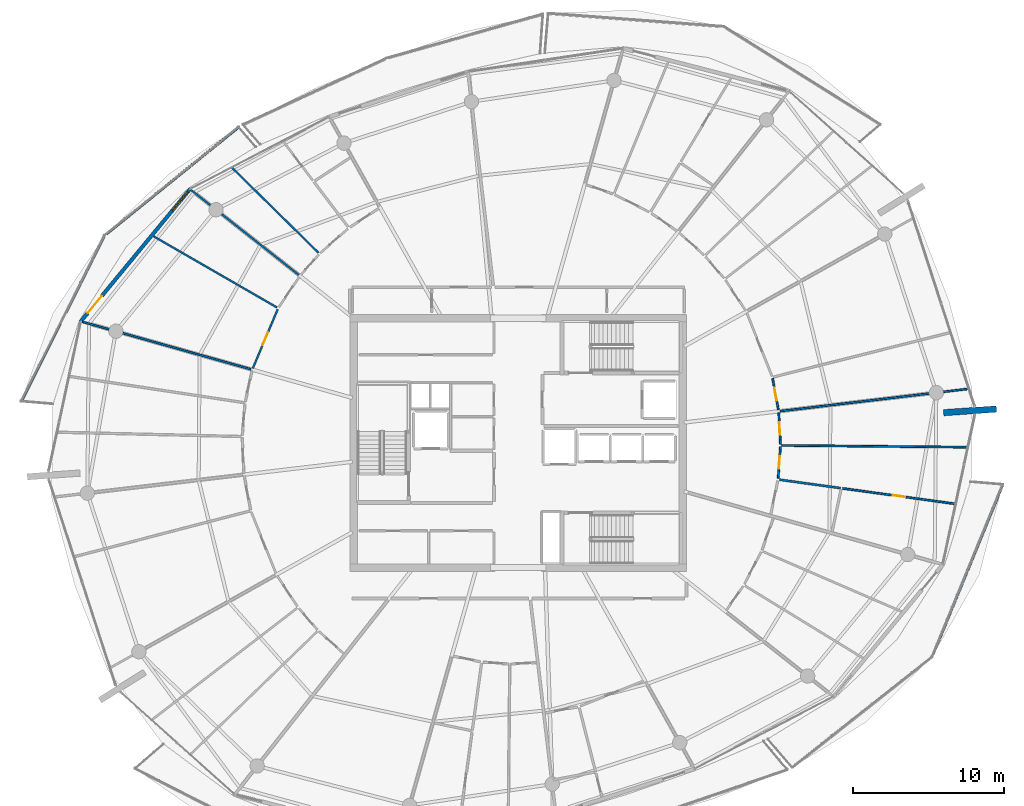
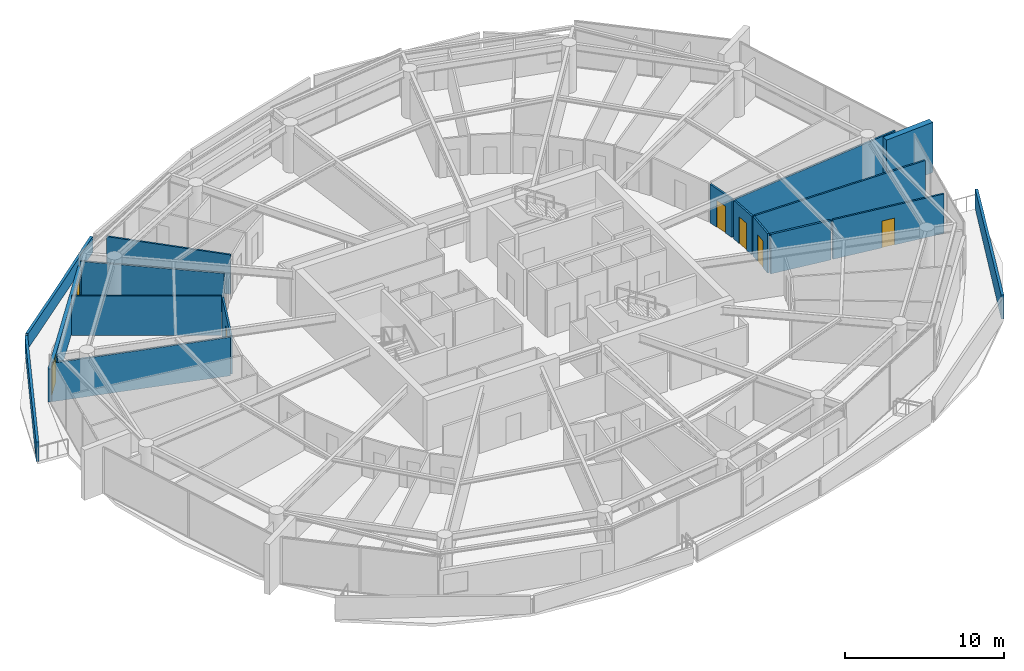
# One storey, part 20 of 29: 17 walls, 6 doors, 1 window, 7 openings.
"""IFC4 building model written with IfcOpenShell, lengths in metres."""

from ifc_helpers import new_model, si_unit, direction, frame, frame_2d, origin, place, context, subcontext, project, spatial, polyline, rectangle, outline, extrude, material, layer, layer_set, type_object, element, fill, save


model = new_model("IFC4")

# Units and contexts
model_context = context("Model", 3, precision=1e-05, world=origin(), true_north=direction((0.0, 1.0)))
body_context = subcontext(model_context, "Body", "Model", "MODEL_VIEW")
ifc_project = project(units=[si_unit("LENGTHUNIT", "METRE"), si_unit("AREAUNIT", "SQUARE_METRE"), si_unit("VOLUMEUNIT", "CUBIC_METRE"), si_unit("PLANEANGLEUNIT", "RADIAN"), si_unit("MASSUNIT", "GRAM", prefix="KILO")], contexts=[model_context])

# Site, building, storey
site_placement = place(None, origin())
site = spatial("IfcSite", under=ifc_project, at=site_placement, CompositionType="ELEMENT")
building_placement = place(site_placement, origin())
building = spatial("IfcBuilding", under=site, at=building_placement, Name="Kazma Halo Residences", CompositionType="ELEMENT")
storey_placement = place(building_placement, frame((0.0, 0.0, 282.89990234375)))
storey = spatial("IfcBuildingStorey", under=building, at=storey_placement, Name="L71", CompositionType="ELEMENT", Elevation=282.89990234375)

# Walls
ifc_material_1 = material(Name="White Concrete C50/60 Balustrade", Category="concrete")
ifc_layer_1 = layer(ifc_material_1, 0.179931640625)
ifc_layer_set_1 = layer_set([ifc_layer_1], Name="White Concrete C50/60 Balustrade")
wall_type_1 = type_object("IfcWallType", Name="WL-BAL-WAVE-180", PredefinedType="PARAPET", material=ifc_layer_set_1)
wall_1_placement = place(storey_placement, frame((29.9326171875, 62.89453125, 0.0), z_axis=(0.0, 0.0, 1.0), x_axis=(-0.777688536298, -0.628649775718, 0.0)))
element("IfcWall", 1, at=wall_1_placement, inside=storey, type_object=wall_type_1, Name="L71 white wave balustrade wall NW.1", PredefinedType="PARAPET", context=body_context, shape_type="SweptSolid", body=[
    extrude(outline(polyline([(0.0, 0.0), (11.284912109375, 0.0), (11.28466796875, 1.148193359375), (5.642333984375, 1.127197265625), (0.0, 1.22412109375), (0.0, 0.0)])), frame((0.0, 0.08984375, 0.0), z_axis=(0.0, -1.0, 0.0), x_axis=(1.0, 0.0, 0.0)), (0.0, 0.0, 1.0), 0.179931640625),
])
wall_2_placement = place(storey_placement, frame((21.00927734375, 55.617919921875, 0.0), z_axis=(0.0, 0.0, 1.0), x_axis=(-0.449276289184, -0.893392867655, 0.0)))
element("IfcWall", 2, at=wall_2_placement, inside=storey, type_object=wall_type_1, Name="L71 white wave balustrade wall NW.2", PredefinedType="PARAPET", context=body_context, shape_type="SweptSolid", body=[
    extrude(outline(polyline([(0.0, 0.0), (12.160400390625, 0.0), (12.160400390625, 1.483154296875), (6.080078125, 1.2841796875), (0.0, 1.148193359375), (0.0, 0.0)])), frame((0.0, 0.08984375, 0.0), z_axis=(0.0, -1.0, 0.0), x_axis=(1.0, 0.0, 0.0)), (0.0, 0.0, 1.0), 0.179931640625),
])
wall_3_placement = place(storey_placement, frame((75.83837890625, 27.94970703125, 0.0), z_axis=(0.0, 0.0, 1.0), x_axis=(0.3796059491, 0.92514827104, 0.0)))
element("IfcWall", 3, at=wall_3_placement, inside=storey, type_object=wall_type_1, Name="L71 white wave balustrade wall SE.2", PredefinedType="PARAPET", context=body_context, shape_type="SweptSolid", body=[
    extrude(outline(polyline([(0.0, 0.0), (12.208740234375, 0.0), (12.20849609375, 1.4970703125), (6.104248046875, 1.696044921875), (0.0, 1.83203125), (0.0, 0.0)])), frame((0.0, 0.08984375, 0.0), z_axis=(0.0, -1.0, 0.0), x_axis=(1.0, 0.0, 0.0)), (0.0, 0.0, 1.0), 0.179931640625),
])
ifc_material_2 = material(Name="Pale Concrete C60/75", Category="concrete")
ifc_layer_2 = layer(ifc_material_2, 0.419921875)
ifc_layer_set_2 = layer_set([ifc_layer_2], Name="Pale Concrete C60/75")
wall_type_2 = type_object("IfcWallType", Name="WL-BLADE-420", PredefinedType="SOLIDWALL", material=ifc_layer_set_2)
wall_4_placement = place(storey_placement, frame((76.5625, 43.997314453125, 0.0), z_axis=(0.0, 0.0, 1.0), x_axis=(0.997563824095, 0.069759707979, 0.0)))
element("IfcWall", 4, at=wall_4_placement, inside=storey, type_object=wall_type_2, Name="L71 pale concrete structural blade fin wall BW-04", PredefinedType="SOLIDWALL", context=body_context, shape_type="SweptSolid", body=[
    extrude(rectangle(XDim=3.499755859375, YDim=0.419921875, at=frame_2d((1.75, 0.0))), origin(), (0.0, 0.0, 1.0), 3.85009765625),
])

# Wall, openings, door, window
ifc_material_3 = material(Name="Insulated Pale-Metal Composite Wall")
ifc_layer_3 = layer(ifc_material_3, 0.239990234375)
ifc_layer_set_3 = layer_set([ifc_layer_3], Name="Insulated Pale-Metal Composite Wall")
wall_type_3 = type_object("IfcWallType", Name="WL-EXT-HOST-240", PredefinedType="SOLIDWALL", material=ifc_layer_set_3)
wall_5_placement = place(storey_placement, frame((26.7421875, 58.822021484375, 0.0), z_axis=(0.0, 0.0, 1.0), x_axis=(-0.636680093065, -0.771128043255, 0.0)))
wall_5 = element("IfcWall", 5, at=wall_5_placement, inside=storey, type_object=wall_type_3, Name="L71 exterior terrace-access wall B06", PredefinedType="SOLIDWALL", context=body_context, shape_type="SweptSolid", body=[
    extrude(rectangle(XDim=11.438232421875, YDim=0.239990234375, at=frame_2d((5.71923828125, 0.0))), origin(), (0.0, 0.0, 1.0), 2.5400390625),
])
opening_1_placement = place(wall_5_placement, frame((9.21826171875, 0.0, 0.0)))
opening_1 = element("IfcOpeningElement", 6, at=opening_1_placement, cuts=wall_5, Name="Opening DTR-1600", PredefinedType="OPENING", context=body_context, shape_type="SweptSolid", body=[
    extrude(rectangle(XDim=1.449951171875, YDim=2.14990234375, at=frame_2d((0.72509765625, 1.074951171875))), frame((0.0, 0.1298828125, 0.0), z_axis=(0.0, -1.0, 0.0), x_axis=(1.0, 0.0, 0.0)), (0.0, 0.0, 1.0), 0.260009765625),
])
opening_2_placement = place(wall_5_placement, frame((0.280029296875, 0.0, 0.64990234375)))
opening_2 = element("IfcOpeningElement", 7, at=opening_2_placement, cuts=wall_5, Name="Opening W-1800", PredefinedType="OPENING", context=body_context, shape_type="SweptSolid", body=[
    extrude(rectangle(XDim=1.60009765625, YDim=1.5, at=frame_2d((0.800048828125, 0.75))), frame((0.0, 0.1298828125, 0.0), z_axis=(0.0, -1.0, 0.0), x_axis=(1.0, 0.0, 0.0)), (0.0, 0.0, 1.0), 0.260009765625),
])
ifc_material_4 = material(Name="Aluminium AW-6063 T6 Double-Glazed Terrace Door", Category="aluminium")
door_type_1 = type_object("IfcDoorType", Name="DR-EXT-TERR-1600", OperationType="NOTDEFINED", PredefinedType="DOOR", material=ifc_material_4)
door_1_placement = place(opening_1_placement, origin())
door_1 = element("IfcDoor", 8, at=door_1_placement, inside=storey, type_object=door_type_1, Name="L71 B06 balcony terrace door", OperationType="DOUBLE_DOOR_SLIDING", OverallHeight=2.14990234375, OverallWidth=1.449951171875, PredefinedType="DOOR", context=body_context, shape_type="SweptSolid", body=[
    extrude(rectangle(XDim=1.449951171875, YDim=2.14990234375, at=frame_2d((0.72509765625, 1.074951171875))), frame((0.0, 0.02490234375, 0.0), z_axis=(0.0, -1.0, 0.0), x_axis=(1.0, 0.0, 0.0)), (0.0, 0.0, 1.0), 0.050048828125),
])
fill(opening_1, door_1)
ifc_material_5 = material(Name="Clear Triple-Silver Low-E Glass in Aluminium AW-6063 T6 Frame", Category="aluminium")
window_type = type_object("IfcWindowType", Name="WIN-RES-1800", PartitioningType="DOUBLE_PANEL_VERTICAL", PredefinedType="WINDOW", material=ifc_material_5)
window_placement = place(opening_2_placement, origin())
window = element("IfcWindow", 9, at=window_placement, inside=storey, type_object=window_type, Name="L71 B06 apartment window", OverallHeight=1.5, OverallWidth=1.60009765625, PartitioningType="SINGLE_PANEL", PredefinedType="WINDOW", context=body_context, shape_type="SweptSolid", body=[
    extrude(rectangle(XDim=1.60009765625, YDim=1.5, at=frame_2d((0.800048828125, 0.75))), frame((0.0, 0.030029296875, 0.0), z_axis=(0.0, -1.0, 0.0), x_axis=(1.0, 0.0, 0.0)), (0.0, 0.0, 1.0), 0.06005859375),
])
fill(opening_2, window)

# Walls
ifc_material_6 = material(Name="Gypsum Plasterboard Partition")
ifc_layer_4 = layer(ifc_material_6, 0.125)
ifc_layer_set_4 = layer_set([ifc_layer_4], Name="Gypsum Plasterboard Partition")
wall_type_4 = type_object("IfcWallType", Name="WL-PART-125", PredefinedType="PARTITIONING", material=ifc_layer_set_4)
wall_6_placement = place(storey_placement, frame((35.214111328125, 54.572998046875, 0.0), z_axis=(0.0, 0.0, 1.0), x_axis=(-0.712998082221, 0.701165982311, 0.0)))
element("IfcWall", 10, at=wall_6_placement, inside=storey, type_object=wall_type_4, Name="L71 Apartment 1 suite divider 4", PredefinedType="PARTITIONING", context=body_context, shape_type="SweptSolid", body=[
    extrude(rectangle(XDim=8.026611328125, YDim=0.125, at=frame_2d((4.01318359375, 0.0))), origin(), (0.0, 0.0, 1.0), 3.030029296875),
])
wall_7_placement = place(storey_placement, frame((33.909912109375, 53.10791015625, 0.0), z_axis=(0.0, 0.0, 1.0), x_axis=(-0.785332331122, 0.619074413697, 0.0)))
element("IfcWall", 11, at=wall_7_placement, inside=storey, type_object=wall_type_4, Name="L71 Apartment 1 radial partition 5", PredefinedType="PARTITIONING", context=body_context, shape_type="SweptSolid", body=[
    extrude(rectangle(XDim=9.142578125, YDim=0.125, at=frame_2d((4.5712890625, 0.0))), origin(), (0.0, 0.0, 1.0), 2.95703125),
])
wall_8_placement = place(storey_placement, frame((32.4658203125, 50.9580078125, 0.0), z_axis=(0.0, 0.0, 1.0), x_axis=(-0.86629721787, 0.499528908383, 0.0)))
element("IfcWall", 12, at=wall_8_placement, inside=storey, type_object=wall_type_4, Name="L71 Apartment 1 mid-bay wall 5", PredefinedType="PARTITIONING", context=body_context, shape_type="SweptSolid", body=[
    extrude(rectangle(XDim=9.42822265625, YDim=0.125, at=frame_2d((4.714111328125, 0.0))), origin(), (0.0, 0.0, 1.0), 3.030029296875),
])

# Wall, opening, door
wall_9_placement = place(storey_placement, frame((32.5126953125, 50.839111328125, 0.0), z_axis=(0.0, 0.0, 1.0), x_axis=(-0.388494891754, -0.921450877194, 0.0)))
wall_9 = element("IfcWall", 13, at=wall_9_placement, inside=storey, type_object=wall_type_4, Name="L71 Apartment 1 Secondary Formal Dining Room hall wall", PredefinedType="PARTITIONING", context=body_context, shape_type="SweptSolid", body=[
    extrude(rectangle(XDim=4.23681640625, YDim=0.125, at=frame_2d((2.118408203125, 0.0))), origin(), (0.0, 0.0, 1.0), 2.95703125),
])
opening_3_placement = place(wall_9_placement, frame((1.66845703125, 0.0, 0.0)))
opening_3 = element("IfcOpeningElement", 14, at=opening_3_placement, cuts=wall_9, Name="Opening DI-950", PredefinedType="OPENING", context=body_context, shape_type="SweptSolid", body=[
    extrude(rectangle(XDim=0.89990234375, YDim=2.080078125, at=frame_2d((0.449951171875, 1.0400390625))), frame((0.0, 0.072509765625, 0.0), z_axis=(0.0, -1.0, 0.0), x_axis=(1.0, 0.0, 0.0)), (0.0, 0.0, 1.0), 0.14501953125),
])
ifc_material_7 = material(Name="Timber Veneer Flush Leaf", Category="wood")
door_type_2 = type_object("IfcDoorType", Name="DR-INT-950", OperationType="NOTDEFINED", PredefinedType="DOOR", material=ifc_material_7)
door_2_placement = place(opening_3_placement, origin())
door_2 = element("IfcDoor", 15, at=door_2_placement, inside=storey, type_object=door_type_2, Name="L71 Apartment 1 Secondary Formal Dining Room door", OperationType="SINGLE_SWING_RIGHT", OverallHeight=2.080078125, OverallWidth=0.89990234375, PredefinedType="DOOR", context=body_context, shape_type="SweptSolid", body=[
    extrude(rectangle(XDim=0.89990234375, YDim=2.080078125, at=frame_2d((0.449951171875, 1.0400390625))), frame((0.0, 0.02490234375, 0.0), z_axis=(0.0, -1.0, 0.0), x_axis=(1.0, 0.0, 0.0)), (0.0, 0.0, 1.0), 0.050048828125),
])
fill(opening_3, door_2)

# Wall
wall_10_placement = place(storey_placement, frame((30.731689453125, 46.8701171875, 0.0), z_axis=(0.0, 0.0, 1.0), x_axis=(-0.962452931787, 0.271448621462, 0.0)))
element("IfcWall", 16, at=wall_10_placement, inside=storey, type_object=wall_type_4, Name="L71 Apartment 1 radial partition 6", PredefinedType="PARTITIONING", context=body_context, shape_type="SweptSolid", body=[
    extrude(rectangle(XDim=11.5537109375, YDim=0.125, at=frame_2d((5.77685546875, 0.0))), origin(), (0.0, 0.0, 1.0), 2.95703125),
])

# Wall, opening, door
wall_11_placement = place(storey_placement, frame((69.880126953125, 38.9912109375, 0.0), z_axis=(0.0, 0.0, 1.0), x_axis=(0.990676269793, -0.13623703046, 0.0)))
wall_11 = element("IfcWall", 17, at=wall_11_placement, inside=storey, type_object=wall_type_4, Name="L71 Apartment 4 Household Store Room partition wall", PredefinedType="PARTITIONING", context=body_context, shape_type="SweptSolid", body=[
    extrude(rectangle(XDim=7.531982421875, YDim=0.125, at=frame_2d((3.76611328125, 0.0))), origin(), (0.0, 0.0, 1.0), 3.030029296875),
])
opening_4_placement = place(wall_11_placement, frame((3.341064453125, 0.0, 0.0)))
opening_4 = element("IfcOpeningElement", 18, at=opening_4_placement, cuts=wall_11, Name="Opening DB-900", PredefinedType="OPENING", context=body_context, shape_type="SweptSolid", body=[
    extrude(rectangle(XDim=0.85009765625, YDim=2.06005859375, at=frame_2d((0.425048828125, 1.030029296875))), frame((0.0, 0.072509765625, 0.0), z_axis=(0.0, -1.0, 0.0), x_axis=(1.0, 0.0, 0.0)), (0.0, 0.0, 1.0), 0.14501953125),
])
ifc_material_8 = material(Name="Moisture-Sealed Timber Leaf", Category="wood")
door_type_3 = type_object("IfcDoorType", Name="DR-BTH-900", OperationType="NOTDEFINED", PredefinedType="DOOR", material=ifc_material_8)
door_3_placement = place(opening_4_placement, origin())
door_3 = element("IfcDoor", 19, at=door_3_placement, inside=storey, type_object=door_type_3, Name="L71 Apartment 4 Household Store Room door", OperationType="SINGLE_SWING_LEFT", OverallHeight=2.06005859375, OverallWidth=0.85009765625, PredefinedType="DOOR", context=body_context, shape_type="SweptSolid", body=[
    extrude(rectangle(XDim=0.85009765625, YDim=2.06005859375, at=frame_2d((0.425048828125, 1.030029296875))), frame((0.0, 0.02490234375, 0.0), z_axis=(0.0, -1.0, 0.0), x_axis=(1.0, 0.0, 0.0)), (0.0, 0.0, 1.0), 0.050048828125),
])
fill(opening_4, door_3)

# Wall
wall_12_placement = place(storey_placement, frame((65.865234375, 41.831787109375, 0.0), z_axis=(0.0, 0.0, 1.0), x_axis=(0.999955421737, -0.009442168124, 0.0)))
element("IfcWall", 20, at=wall_12_placement, inside=storey, type_object=wall_type_4, Name="L71 Apartment 4 suite divider 14", PredefinedType="PARTITIONING", context=body_context, shape_type="SweptSolid", body=[
    extrude(rectangle(XDim=12.28173828125, YDim=0.125, at=frame_2d((6.140869140625, 0.0))), origin(), (0.0, 0.0, 1.0), 3.030029296875),
])

# Wall, opening, door
wall_13_placement = place(storey_placement, frame((65.616943359375, 39.668212890625, 0.0), z_axis=(0.0, 0.0, 1.0), x_axis=(0.072890621107, 0.99733994072, 0.0)))
wall_13 = element("IfcWall", 21, at=wall_13_placement, inside=storey, type_object=wall_type_4, Name="L71 Apartment 4 Gourmet Kitchen hall wall", PredefinedType="PARTITIONING", context=body_context, shape_type="SweptSolid", body=[
    extrude(rectangle(XDim=2.090087890625, YDim=0.125, at=frame_2d((1.044921875, 0.0))), origin(), (0.0, 0.0, 1.0), 3.030029296875),
])
opening_5_placement = place(wall_13_placement, frame((0.6201171875, 0.0, 0.0)))
opening_5 = element("IfcOpeningElement", 22, at=opening_5_placement, cuts=wall_13, Name="Opening DB-900", PredefinedType="OPENING", context=body_context, shape_type="SweptSolid", body=[
    extrude(rectangle(XDim=0.85009765625, YDim=2.06005859375, at=frame_2d((0.425048828125, 1.030029296875))), frame((0.0, 0.072509765625, 0.0), z_axis=(0.0, -1.0, 0.0), x_axis=(1.0, 0.0, 0.0)), (0.0, 0.0, 1.0), 0.14501953125),
])
door_4_placement = place(opening_5_placement, origin())
door_4 = element("IfcDoor", 23, at=door_4_placement, inside=storey, type_object=door_type_3, Name="L71 Apartment 4 Gourmet Kitchen door", OperationType="SINGLE_SWING_RIGHT", OverallHeight=2.06005859375, OverallWidth=0.85009765625, PredefinedType="DOOR", context=body_context, shape_type="SweptSolid", body=[
    extrude(rectangle(XDim=0.85009765625, YDim=2.06005859375, at=frame_2d((0.425048828125, 1.030029296875))), frame((0.0, 0.02490234375, 0.0), z_axis=(0.0, -1.0, 0.0), x_axis=(1.0, 0.0, 0.0)), (0.0, 0.0, 1.0), 0.050048828125),
])
fill(opening_5, door_4)

wall_14_placement = place(storey_placement, frame((65.77099609375, 41.912353515625, 0.0), z_axis=(0.0, 0.0, 1.0), x_axis=(-0.054221950574, 0.998528907982, 0.0)))
wall_14 = element("IfcWall", 24, at=wall_14_placement, inside=storey, type_object=wall_type_4, Name="L71 Apartment 4 Master Bedroom hall wall", PredefinedType="PARTITIONING", context=body_context, shape_type="SweptSolid", body=[
    extrude(rectangle(XDim=2.080322265625, YDim=0.125, at=frame_2d((1.0400390625, 0.0))), origin(), (0.0, 0.0, 1.0), 2.95703125),
])
opening_6_placement = place(wall_14_placement, frame((0.614990234375, 0.0, 0.0)))
opening_6 = element("IfcOpeningElement", 25, at=opening_6_placement, cuts=wall_14, Name="Opening DB-900", PredefinedType="OPENING", context=body_context, shape_type="SweptSolid", body=[
    extrude(rectangle(XDim=0.85009765625, YDim=2.06005859375, at=frame_2d((0.425048828125, 1.030029296875))), frame((0.0, 0.072509765625, 0.0), z_axis=(0.0, -1.0, 0.0), x_axis=(1.0, 0.0, 0.0)), (0.0, 0.0, 1.0), 0.14501953125),
])
door_5_placement = place(opening_6_placement, origin())
door_5 = element("IfcDoor", 26, at=door_5_placement, inside=storey, type_object=door_type_3, Name="L71 Apartment 4 Master Bedroom door", OperationType="SINGLE_SWING_LEFT", OverallHeight=2.06005859375, OverallWidth=0.85009765625, PredefinedType="DOOR", context=body_context, shape_type="SweptSolid", body=[
    extrude(rectangle(XDim=0.85009765625, YDim=2.06005859375, at=frame_2d((0.425048828125, 1.030029296875))), frame((0.0, 0.02490234375, 0.0), z_axis=(0.0, -1.0, 0.0), x_axis=(1.0, 0.0, 0.0)), (0.0, 0.0, 1.0), 0.050048828125),
])
fill(opening_6, door_5)

# Wall
wall_15_placement = place(storey_placement, frame((65.752197265625, 44.10107421875, 0.0), z_axis=(0.0, 0.0, 1.0), x_axis=(0.993067785749, 0.117543068309, 0.0)))
element("IfcWall", 27, at=wall_15_placement, inside=storey, type_object=wall_type_4, Name="L71 Apartment 4 radial partition 15", PredefinedType="PARTITIONING", context=body_context, shape_type="SweptSolid", body=[
    extrude(rectangle(XDim=12.553466796875, YDim=0.125, at=frame_2d((6.27685546875, 0.0))), origin(), (0.0, 0.0, 1.0), 2.95703125),
])

# Wall, opening, door
wall_16_placement = place(storey_placement, frame((65.634765625, 44.1875, 0.0), z_axis=(0.0, 0.0, 1.0), x_axis=(-0.181239065241, 0.983439068387, 0.0)))
wall_16 = element("IfcWall", 28, at=wall_16_placement, inside=storey, type_object=wall_type_4, Name="L71 Apartment 4 Primary Wine Pantry Store hall wall", PredefinedType="PARTITIONING", context=body_context, shape_type="SweptSolid", body=[
    extrude(rectangle(XDim=2.108154296875, YDim=0.125, at=frame_2d((1.05419921875, 0.0))), origin(), (0.0, 0.0, 1.0), 2.95703125),
])
opening_7_placement = place(wall_16_placement, frame((0.62890625, 0.0, 0.0)))
opening_7 = element("IfcOpeningElement", 29, at=opening_7_placement, cuts=wall_16, Name="Opening DB-900", PredefinedType="OPENING", context=body_context, shape_type="SweptSolid", body=[
    extrude(rectangle(XDim=0.85009765625, YDim=2.06005859375, at=frame_2d((0.425048828125, 1.030029296875))), frame((0.0, 0.072509765625, 0.0), z_axis=(0.0, -1.0, 0.0), x_axis=(1.0, 0.0, 0.0)), (0.0, 0.0, 1.0), 0.14501953125),
])
door_6_placement = place(opening_7_placement, origin())
door_6 = element("IfcDoor", 30, at=door_6_placement, inside=storey, type_object=door_type_3, Name="L71 Apartment 4 Primary Wine Pantry Store door", OperationType="SINGLE_SWING_LEFT", OverallHeight=2.06005859375, OverallWidth=0.85009765625, PredefinedType="DOOR", context=body_context, shape_type="SweptSolid", body=[
    extrude(rectangle(XDim=0.85009765625, YDim=2.06005859375, at=frame_2d((0.425048828125, 1.030029296875))), frame((0.0, 0.02490234375, 0.0), z_axis=(0.0, -1.0, 0.0), x_axis=(1.0, 0.0, 0.0)), (0.0, 0.0, 1.0), 0.050048828125),
])
fill(opening_7, door_6)

# Wall
ifc_material_9 = material(Name="Moisture-Resistant Gypsum")
ifc_layer_5 = layer(ifc_material_9, 0.14990234375)
ifc_layer_set_5 = layer_set([ifc_layer_5], Name="Moisture-Resistant Gypsum")
wall_type_5 = type_object("IfcWallType", Name="WL-WET-150", PredefinedType="PARTITIONING", material=ifc_layer_set_5)
wall_17_placement = place(storey_placement, frame((65.699462890625, 39.56591796875, 0.0), z_axis=(0.0, 0.0, 1.0), x_axis=(0.990678437061, -0.136221269786, 0.0)))
element("IfcWall", 31, at=wall_17_placement, inside=storey, type_object=wall_type_5, Name="L71 Apartment 4 Guest Bathroom side wall", PredefinedType="PARTITIONING", context=body_context, shape_type="SweptSolid", body=[
    extrude(rectangle(XDim=4.08984375, YDim=0.14990234375, at=frame_2d((2.044921875, 0.0))), origin(), (0.0, 0.0, 1.0), 3.030029296875),
])

save(model, "model.ifc")
